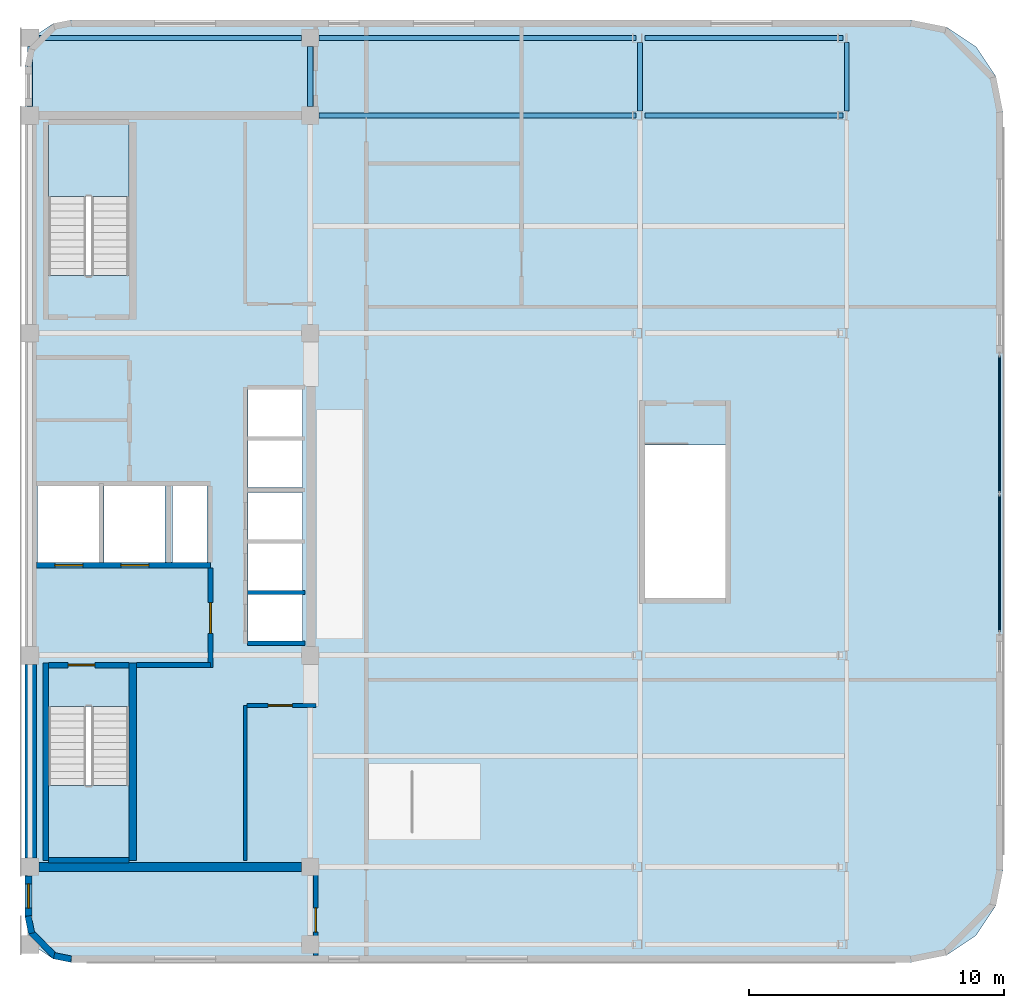
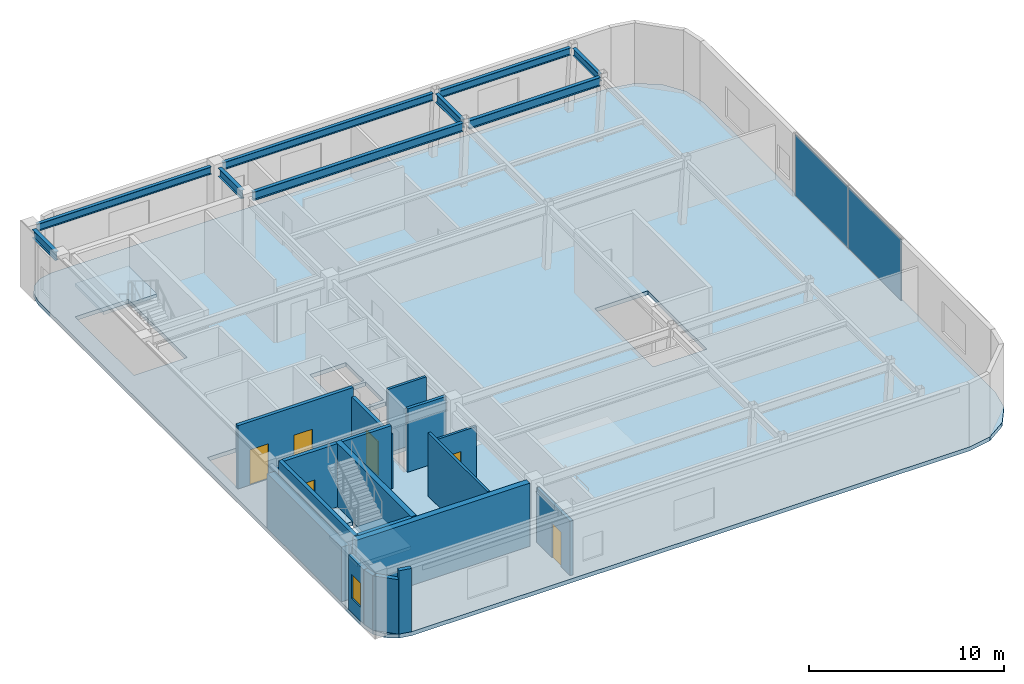
# One storey, part 3 of 8: 18 walls, 9 beams, 6 doors, 3 slabs, 2 plates, 1 window, 7 openings, 3 elements without a shape of their own.
"""IFC4 building model written with IfcOpenShell, lengths in metres."""

from ifc_helpers import new_model, si_unit, direction, frame, frame_2d, origin, origin_2d, place, context, subcontext, project, spatial, polyline, rectangle, i_section, outline, extrude, material, layer, layer_set, material_profile, profile_set, type_object, element, fill, aggregate, save


model = new_model("IFC4")

# Units and contexts
model_context = context("Model", 3, precision=1e-05, world=origin(), true_north=direction((0.0, 1.0)))
body_context = subcontext(model_context, "Body", "Model", "MODEL_VIEW")
ifc_project = project(units=[si_unit("LENGTHUNIT", "METRE"), si_unit("AREAUNIT", "SQUARE_METRE"), si_unit("VOLUMEUNIT", "CUBIC_METRE"), si_unit("PLANEANGLEUNIT", "RADIAN"), si_unit("MASSUNIT", "GRAM", prefix="KILO")], contexts=[model_context])

# Site, building, storey
site_placement = place(None, origin())
site = spatial("IfcSite", under=ifc_project, at=site_placement, CompositionType="ELEMENT")
building_placement = place(site_placement, origin())
building = spatial("IfcBuilding", under=site, at=building_placement, Name="Ochreholt Gables", CompositionType="ELEMENT")
storey_placement = place(building_placement, frame((0.0, 0.0, 231.0)))
storey = spatial("IfcBuildingStorey", under=building, at=storey_placement, Name="L60", CompositionType="ELEMENT", Elevation=231.0)

# Beams
ifc_material_1 = material(Name="Steel CSA G40.21 350W", Category="steel")
ifc_material_profile_1 = material_profile(ifc_material_1, i_section(OverallWidth=0.2109375, OverallDepth=0.5390625, WebThickness=0.01171875, FlangeThickness=0.018798828125, at=origin_2d()), Name="W530X109")
ifc_profile_set_1 = profile_set([ifc_material_profile_1], Name="Steel CSA G40.21 350W")
beam_type_1 = type_object("IfcBeamType", Name="BM-G-W530A", PredefinedType="BEAM", material=ifc_profile_set_1)
beam_1_placement = place(storey_placement, frame((35.549560546875, 38.75, 3.6904296875), z_axis=(1.0, 0.0, 0.0), x_axis=(0.0, 1.0, 0.0)))
element("IfcBeam", 1, at=beam_1_placement, inside=storey, type_object=beam_type_1, Name="L60 Beam TBG-L60-C2EM-Y5", PredefinedType="BEAM", context=body_context, shape_type="SweptSolid", body=[
    extrude(i_section(OverallWidth=0.2109375, OverallDepth=0.5390625, WebThickness=0.01171875, FlangeThickness=0.018798828125, at=origin_2d()), origin(), (0.0, 0.0, 1.0), 12.44091796875),
])
beam_2_placement = place(storey_placement, frame((48.345703125, 38.75, 3.6904296875), z_axis=(1.0, 0.0, 0.0), x_axis=(0.0, 1.0, 0.0)))
element("IfcBeam", 2, at=beam_2_placement, inside=storey, type_object=beam_type_1, Name="L60 Beam TBG-L60-EMEE-Y5", PredefinedType="BEAM", context=body_context, shape_type="SweptSolid", body=[
    extrude(i_section(OverallWidth=0.2109375, OverallDepth=0.5390625, WebThickness=0.01171875, FlangeThickness=0.018798828125, at=origin_2d()), origin(), (0.0, 0.0, 1.0), 7.775146484375),
])
for number, where, z_axis, x_axis, name in (
    (3, (24.199951171875, 39.099609375, 3.6904296875), (0.0, 1.0, 0.0), (-1.0, 0.0, 0.0), "L60 Beam TBN-L60-C1-Y5Y6"),
    (4, (35.199951171875, 39.099609375, 3.6904296875), (0.0, 1.0, 0.0), (-1.0, 0.0, 0.0), "L60 Beam TBN-L60-C2-Y5Y6"),
):
    element("IfcBeam", number, at=place(storey_placement, frame(where, z_axis=z_axis, x_axis=x_axis)), inside=storey, type_object=beam_type_1, Name=name, PredefinedType="BEAM", context=body_context, shape_type="SweptSolid", body=[
        extrude(i_section(OverallWidth=0.2109375, OverallDepth=0.5390625, WebThickness=0.01171875, FlangeThickness=0.018798828125, at=origin_2d()), origin(), (0.0, 0.0, 1.0), 2.350830078125),
    ])
beam_3_placement = place(storey_placement, frame((48.15087890625, 38.927490234375, 3.6904296875), z_axis=(0.0, 1.0, 0.0), x_axis=(-1.0, 0.0, 0.0)))
element("IfcBeam", 5, at=beam_3_placement, inside=storey, type_object=beam_type_1, Name="L60 Beam TBN-L60-EM-Y5Y6", PredefinedType="BEAM", context=body_context, shape_type="SweptSolid", body=[
    extrude(i_section(OverallWidth=0.2109375, OverallDepth=0.5390625, WebThickness=0.01171875, FlangeThickness=0.018798828125, at=origin_2d()), origin(), (0.0, 0.0, 1.0), 2.69482421875),
])
ifc_material_profile_2 = material_profile(ifc_material_1, i_section(OverallWidth=0.19189453125, OverallDepth=0.462890625, WebThickness=0.010498046875, FlangeThickness=0.017578125, at=origin_2d()), Name="W460X89")
ifc_profile_set_2 = profile_set([ifc_material_profile_2], Name="Steel CSA G40.21 350W")
beam_type_2 = type_object("IfcBeamType", Name="BM-SP-W460A", PredefinedType="SPANDREL", material=ifc_profile_set_2)
beam_4_placement = place(storey_placement, frame((24.549560546875, 41.800048828125, 3.728515625), z_axis=(1.0, 0.0, 0.0), x_axis=(0.0, 1.0, 0.0)))
element("IfcBeam", 6, at=beam_4_placement, inside=storey, type_object=beam_type_2, Name="L60 Beam TBG-L60-C1C2-Y6", PredefinedType="SPANDREL", context=body_context, shape_type="SweptSolid", body=[
    extrude(i_section(OverallWidth=0.19189453125, OverallDepth=0.462890625, WebThickness=0.010498046875, FlangeThickness=0.017578125, at=origin_2d()), origin(), (0.0, 0.0, 1.0), 10.30078125),
])
beam_5_placement = place(storey_placement, frame((35.549560546875, 41.800048828125, 3.728515625), z_axis=(1.0, 0.0, 0.0), x_axis=(0.0, 1.0, 0.0)))
element("IfcBeam", 7, at=beam_5_placement, inside=storey, type_object=beam_type_2, Name="L60 Beam TBG-L60-C2EM-Y6", PredefinedType="SPANDREL", context=body_context, shape_type="SweptSolid", body=[
    extrude(i_section(OverallWidth=0.19189453125, OverallDepth=0.462890625, WebThickness=0.010498046875, FlangeThickness=0.017578125, at=origin_2d()), origin(), (0.0, 0.0, 1.0), 12.44091796875),
])
beam_6_placement = place(storey_placement, frame((48.345703125, 41.800048828125, 3.728515625), z_axis=(1.0, 0.0, 0.0), x_axis=(0.0, 1.0, 0.0)))
element("IfcBeam", 8, at=beam_6_placement, inside=storey, type_object=beam_type_2, Name="L60 Beam TBG-L60-EMEE-Y6", PredefinedType="SPANDREL", context=body_context, shape_type="SweptSolid", body=[
    extrude(i_section(OverallWidth=0.19189453125, OverallDepth=0.462890625, WebThickness=0.010498046875, FlangeThickness=0.017578125, at=origin_2d()), origin(), (0.0, 0.0, 1.0), 7.775146484375),
])
beam_7_placement = place(storey_placement, frame((56.27001953125, 38.927490234375, 3.728515625), z_axis=(0.0, 1.0, 0.0), x_axis=(-1.0, 0.0, 0.0)))
element("IfcBeam", 9, at=beam_7_placement, inside=storey, type_object=beam_type_2, Name="L60 Beam TBN-L60-EE-Y5Y6", PredefinedType="SPANDREL", context=body_context, shape_type="SweptSolid", body=[
    extrude(i_section(OverallWidth=0.19189453125, OverallDepth=0.462890625, WebThickness=0.010498046875, FlangeThickness=0.017578125, at=origin_2d()), origin(), (0.0, 0.0, 1.0), 2.69482421875),
])

# Curtain wall, plates
ifc_material_2 = material(Name="Unitised Aluminium and Triple Glazing", Category="aluminium")
ifc_layer_1 = layer(ifc_material_2, 0.219970703125, Name="Unitised Aluminium and Triple Glazing")
ifc_layer_set_1 = layer_set([ifc_layer_1], Name="Unitised Aluminium and Triple Glazing")
curtain_wall_type = type_object("IfcCurtainWallType", Name="CW-SYS6", PredefinedType="NOTDEFINED", material=ifc_layer_set_1)
curtain_wall_placement = place(storey_placement, origin())
curtain_wall = element("IfcCurtainWall", 10, at=curtain_wall_placement, inside=storey, type_object=curtain_wall_type, Name="L60 East Unitised Curtain Wall", PredefinedType="NOTDEFINED")
ifc_material_3 = material(Name="Triple Low-E Insulating Glass", Category="glass")
ifc_layer_2 = layer(ifc_material_3, 0.0419921875, Name="Triple Low-E Insulating Glass")
ifc_layer_set_2 = layer_set([ifc_layer_2], Name="Triple Low-E Insulating Glass")
plate_type = type_object("IfcPlateType", Name="CW-PNL-42", PredefinedType="CURTAIN_PANEL", material=ifc_layer_set_2)
plate_1_placement = place(storey_placement, frame((62.264892578125, 21.168701171875, 0.074951171875), z_axis=(0.0, 0.0, 1.0), x_axis=(0.0, 1.0, 0.0)))
plate_1 = element("IfcPlate", 11, at=plate_1_placement, type_object=plate_type, Name="CW-6 panel 1.1", PredefinedType="CURTAIN_PANEL", context=body_context, shape_type="SweptSolid", body=[
    extrude(rectangle(XDim=5.387451171875, YDim=0.0419921875, at=origin_2d()), origin(), (0.0, 0.0, 1.0), 3.81005859375),
])
plate_2_placement = place(storey_placement, frame((62.264892578125, 26.63134765625, 0.074951171875), z_axis=(0.0, 0.0, 1.0), x_axis=(0.0, 1.0, 0.0)))
plate_2 = element("IfcPlate", 12, at=plate_2_placement, type_object=plate_type, Name="CW-6 panel 2.1", PredefinedType="CURTAIN_PANEL", context=body_context, shape_type="SweptSolid", body=[
    extrude(rectangle(XDim=5.387451171875, YDim=0.0419921875, at=origin_2d()), origin(), (0.0, 0.0, 1.0), 3.81005859375),
])
aggregate(curtain_wall, [plate_1, plate_2])

# Stair, slab
ifc_material_4 = material(Name="Concrete 40 MPa", Category="concrete")
stair_type_1 = type_object("IfcStairType", Name="STAIR-CORE-ST-1", PredefinedType="HALF_TURN_STAIR", material=ifc_material_4)
stair_1_placement = place(storey_placement, origin())
stair_1 = element("IfcStair", 13, at=stair_1_placement, inside=storey, type_object=stair_type_1, Name="L60 Core Exit Stair 1", PredefinedType="HALF_TURN_STAIR")
ifc_layer_3 = layer(ifc_material_4, 0.199951171875, Name="Concrete 40 MPa")
ifc_layer_set_3 = layer_set([ifc_layer_3], Name="Concrete 40 MPa")
slab_type_1 = type_object("IfcSlabType", Name="LANDING-RC200", PredefinedType="LANDING", material=ifc_layer_set_3)
slab_1_placement = place(storey_placement, frame((0.0, 0.0, 1.89990234375)))
slab_1 = element("IfcSlab", 14, at=slab_1_placement, type_object=slab_type_1, Name="ST-1 landing 1", PredefinedType="LANDING", context=body_context, shape_type="SweptSolid", body=[
    extrude(outline(polyline([(24.919921875, 12.43798828125), (24.919921875, 9.52001953125), (28.080078125, 9.52001953125), (28.080078125, 12.43798828125), (24.919921875, 12.43798828125)])), origin(), (0.0, 0.0, 1.0), 0.2001953125),
])
aggregate(stair_1, [slab_1])

stair_type_2 = type_object("IfcStairType", Name="STAIR-CORE-ST-2", PredefinedType="HALF_TURN_STAIR", material=ifc_material_4)
stair_2_placement = place(storey_placement, origin())
stair_2 = element("IfcStair", 15, at=stair_2_placement, inside=storey, type_object=stair_type_2, Name="L60 Core Exit Stair 2", PredefinedType="HALF_TURN_STAIR")
slab_2_placement = place(storey_placement, frame((0.0, 0.0, 1.89990234375)))
slab_2 = element("IfcSlab", 16, at=slab_2_placement, type_object=slab_type_1, Name="ST-2 landing 1", PredefinedType="LANDING", context=body_context, shape_type="SweptSolid", body=[
    extrude(outline(polyline([(28.080078125, 35.56201171875), (28.080078125, 38.47998046875), (24.919921875, 38.47998046875), (24.919921875, 35.56201171875), (28.080078125, 35.56201171875)])), origin(), (0.0, 0.0, 1.0), 0.2001953125),
])
aggregate(stair_2, [slab_2])

# Slab
ifc_layer_4 = layer(ifc_material_4, 0.25, Name="Concrete 40 MPa")
ifc_layer_set_4 = layer_set([ifc_layer_4], Name="Concrete 40 MPa")
slab_type_2 = type_object("IfcSlabType", Name="SLAB-COM-250", PredefinedType="FLOOR", material=ifc_layer_set_4)
slab_3_placement = place(storey_placement, frame((0.0, 0.0, -0.25)))
element("IfcSlab", 17, at=slab_3_placement, inside=storey, type_object=slab_type_2, Name="L60 Structural Floor Slab", PredefinedType="FLOOR", context=body_context, shape_type="SweptSolid", body=[
    extrude(outline(polyline([(24.0, 7.300048828125), (24.136962890625, 6.611083984375), (24.527099609375, 6.027099609375), (25.111083984375, 5.636962890625), (25.800048828125, 5.5), (58.800048828125, 5.5), (60.177734375, 5.77392578125), (61.345703125, 6.554443359375), (62.1259765625, 7.722412109375), (62.39990234375, 9.10009765625), (62.39990234375, 38.89990234375), (62.1259765625, 40.277587890625), (61.345703125, 41.445556640625), (60.177734375, 42.22607421875), (58.800048828125, 42.5), (25.800048828125, 42.5), (25.111083984375, 42.363037109375), (24.527099609375, 41.972900390625), (24.136962890625, 41.388916015625), (24.0, 40.699951171875), (24.0, 7.300048828125)]), holes=[polyline([(24.919921875, 15.539306640625), (24.919921875, 9.52001953125), (28.080078125, 9.52001953125), (28.080078125, 15.539306640625), (24.919921875, 15.539306640625)]), polyline([(28.080078125, 32.460693359375), (28.080078125, 38.47998046875), (24.919921875, 38.47998046875), (24.919921875, 32.460693359375), (28.080078125, 32.460693359375)]), polyline([(48.35009765625, 25.819091796875), (48.35009765625, 19.800048828125), (51.510009765625, 19.800048828125), (51.510009765625, 25.819091796875), (48.35009765625, 25.819091796875)]), polyline([(24.5, 21.199951171875), (26.89990234375, 21.199951171875), (26.89990234375, 24.199951171875), (24.5, 24.199951171875), (24.5, 21.199951171875)]), polyline([(27.10009765625, 21.199951171875), (29.5, 21.199951171875), (29.5, 24.199951171875), (27.10009765625, 24.199951171875), (27.10009765625, 21.199951171875)]), polyline([(32.75, 18.10009765625), (34.89990234375, 18.10009765625), (34.89990234375, 19.949951171875), (32.75, 19.949951171875), (32.75, 18.10009765625)]), polyline([(32.75, 20.10009765625), (34.89990234375, 20.10009765625), (34.89990234375, 21.949951171875), (32.75, 21.949951171875), (32.75, 20.10009765625)]), polyline([(32.75, 22.10009765625), (34.89990234375, 22.10009765625), (34.89990234375, 23.949951171875), (32.75, 23.949951171875), (32.75, 22.10009765625)]), polyline([(32.75, 24.14990234375), (34.89990234375, 24.14990234375), (34.89990234375, 26.0), (32.75, 26.0), (32.75, 24.14990234375)]), polyline([(32.75, 26.14990234375), (34.89990234375, 26.14990234375), (34.89990234375, 28.0), (32.75, 28.0), (32.75, 26.14990234375)]), polyline([(29.800048828125, 21.199951171875), (31.14990234375, 21.199951171875), (31.14990234375, 24.199951171875), (29.800048828125, 24.199951171875), (29.800048828125, 21.199951171875)])]), origin(), (0.0, 0.0, 1.0), 0.25),
])

# Walls
ifc_material_5 = material(Name="Concrete 50 MPa", Category="concrete")
ifc_layer_5 = layer(ifc_material_5, 0.35009765625, Name="Concrete 50 MPa")
ifc_layer_set_5 = layer_set([ifc_layer_5], Name="Concrete 50 MPa")
wall_type_1 = type_object("IfcWallType", Name="WALL-CSW-350", PredefinedType="SHEAR", material=ifc_layer_set_5)
wall_1_placement = place(storey_placement, frame((24.550048828125, 9.25, 0.0), z_axis=(0.0, 0.0, 1.0), x_axis=(1.0, 0.0, 0.0)))
element("IfcWall", 18, at=wall_1_placement, inside=storey, type_object=wall_type_1, Name="L60 Core South Shear Wall", PredefinedType="SHEAR", context=body_context, shape_type="SweptSolid", body=[
    extrude(rectangle(XDim=10.300048828125, YDim=0.35009765625, at=frame_2d((5.14990234375, 0.0))), origin(), (0.0, 0.0, 1.0), 3.9599609375),
])
ifc_layer_6 = layer(ifc_material_5, 0.449951171875, Name="Concrete 50 MPa")
ifc_layer_set_6 = layer_set([ifc_layer_6], Name="Concrete 50 MPa")
wall_type_2 = type_object("IfcWallType", Name="WALL-CSW-EXT", PredefinedType="SHEAR", material=ifc_layer_set_6)
wall_2_placement = place(storey_placement, frame((24.22509765625, 9.60009765625, 0.0), z_axis=(0.0, 0.0, 1.0), x_axis=(0.0, 1.0, 0.0)))
element("IfcWall", 19, at=wall_2_placement, inside=storey, type_object=wall_type_2, Name="L60 Core West Shear Wall WS", PredefinedType="SHEAR", context=body_context, shape_type="SweptSolid", body=[
    extrude(rectangle(XDim=7.599853515625, YDim=0.449951171875, at=frame_2d((3.7998046875, 0.0))), origin(), (0.0, 0.0, 1.0), 3.4208984375),
])

# Wall, opening, window
ifc_material_6 = material(Name="Precast concrete 40 MPa", Category="concrete")
ifc_layer_7 = layer(ifc_material_6, 0.27001953125, Name="Precast concrete 40 MPa")
ifc_layer_set_7 = layer_set([ifc_layer_7], Name="Precast concrete 40 MPa")
wall_type_3 = type_object("IfcWallType", Name="WALL-EXT-270", PredefinedType="SOLIDWALL", material=ifc_layer_set_7)
wall_3_placement = place(storey_placement, frame((24.135009765625, 7.320068359375, 0.0), z_axis=(0.0, 0.0, 1.0), x_axis=(0.0, 1.0, 0.0)))
wall_3 = element("IfcWall", 20, at=wall_3_placement, inside=storey, type_object=wall_type_3, Name="L60 West Facade South Bay Wall", PredefinedType="SOLIDWALL", context=body_context, shape_type="SweptSolid", body=[
    extrude(rectangle(XDim=1.559814453125, YDim=0.27001953125, at=frame_2d((0.77978515625, 0.0))), origin(), (0.0, 0.0, 1.0), 3.403076171875),
])
opening_1_placement = place(wall_3_placement, frame((0.304931640625, 0.0, 0.85009765625)))
opening_1 = element("IfcOpeningElement", 21, at=opening_1_placement, cuts=wall_3, Name="Opening WN-10", PredefinedType="OPENING", context=body_context, shape_type="SweptSolid", body=[
    extrude(rectangle(XDim=0.949951171875, YDim=1.5, at=frame_2d((0.47509765625, 0.75))), frame((0.0, 0.14501953125, 0.0), z_axis=(0.0, -1.0, 0.0), x_axis=(1.0, 0.0, 0.0)), (0.0, 0.0, 1.0), 0.2900390625),
])
ifc_material_7 = material(Name="Triple-Glazed Thermally Broken Aluminium Window", Category="aluminium")
window_type = type_object("IfcWindowType", Name="WIN-RES-950", PartitioningType="SINGLE_PANEL", PredefinedType="WINDOW", material=ifc_material_7)
window_placement = place(opening_1_placement, origin())
window = element("IfcWindow", 22, at=window_placement, inside=storey, type_object=window_type, Name="L60 South Sky Lounge West Window", OverallHeight=1.5, OverallWidth=0.949951171875, PartitioningType="SINGLE_PANEL", PredefinedType="WINDOW", context=body_context, shape_type="SweptSolid", body=[
    extrude(rectangle(XDim=0.949951171875, YDim=1.5, at=frame_2d((0.47509765625, 0.75))), frame((0.0, 0.030029296875, 0.0), z_axis=(0.0, -1.0, 0.0), x_axis=(1.0, 0.0, 0.0)), (0.0, 0.0, 1.0), 0.06005859375),
])
fill(opening_1, window)

# Walls
ifc_layer_8 = layer(ifc_material_6, 0.25, Name="Precast concrete 40 MPa")
ifc_layer_set_8 = layer_set([ifc_layer_8], Name="Precast concrete 40 MPa")
wall_type_4 = type_object("IfcWallType", Name="WALL-EXT-CNR", PredefinedType="SOLIDWALL", material=ifc_layer_set_8)
wall_4_placement = place(storey_placement, frame((24.124267578125, 7.31640625, 0.0), z_axis=(0.0, 0.0, 1.0), x_axis=(0.194952956674, -0.980812594069, 0.0)))
element("IfcWall", 23, at=wall_4_placement, inside=storey, type_object=wall_type_4, Name="L60 Rounded Corner Wall SW-1", PredefinedType="SOLIDWALL", context=body_context, shape_type="SweptSolid", body=[
    extrude(rectangle(XDim=0.686279296875, YDim=0.25, at=frame_2d((0.34326171875, 0.0))), origin(), (0.0, 0.0, 1.0), 3.403076171875),
])
wall_5_placement = place(storey_placement, frame((24.23095703125, 6.69384765625, 0.0), z_axis=(0.0, 0.0, 1.0), x_axis=(0.707106781187, -0.707106781187, 0.0)))
element("IfcWall", 24, at=wall_5_placement, inside=storey, type_object=wall_type_4, Name="L60 Rounded Corner Wall SW-2", PredefinedType="SOLIDWALL", context=body_context, shape_type="SweptSolid", body=[
    extrude(rectangle(XDim=1.36181640625, YDim=0.25, at=frame_2d((0.680908203125, 0.0))), origin(), (0.0, 0.0, 1.0), 3.403076171875),
])
wall_6_placement = place(storey_placement, frame((25.143310546875, 5.758056640625, 0.0), z_axis=(0.0, 0.0, 1.0), x_axis=(0.980812594069, -0.194952956674, 0.0)))
element("IfcWall", 25, at=wall_6_placement, inside=storey, type_object=wall_type_4, Name="L60 Rounded Corner Wall SW-3", PredefinedType="SOLIDWALL", context=body_context, shape_type="SweptSolid", body=[
    extrude(rectangle(XDim=0.686279296875, YDim=0.25, at=frame_2d((0.34326171875, 0.0))), origin(), (0.0, 0.0, 1.0), 3.9599609375),
])

# Wall, openings, doors
ifc_layer_9 = layer(ifc_material_4, 0.199951171875, Name="Concrete 40 MPa")
ifc_layer_set_9 = layer_set([ifc_layer_9], Name="Concrete 40 MPa")
wall_type_5 = type_object("IfcWallType", Name="WALL-INT-CF200", PredefinedType="STANDARD", material=ifc_layer_set_9)
wall_7_placement = place(storey_placement, frame((24.449951171875, 21.090087890625, 0.0), z_axis=(0.0, 0.0, 1.0), x_axis=(1.0, 0.0, 0.0)))
wall_7 = element("IfcWall", 26, at=wall_7_placement, inside=storey, type_object=wall_type_5, Name="L60 Interior Wall WI-FFN-L60", PredefinedType="STANDARD", context=body_context, shape_type="SweptSolid", body=[
    extrude(rectangle(XDim=6.830078125, YDim=0.199951171875, at=frame_2d((3.4150390625, 0.0))), origin(), (0.0, 0.0, 1.0), 3.9599609375),
])
opening_2_placement = place(wall_7_placement, frame((0.719970703125, 0.0, 0.0)))
opening_2 = element("IfcOpeningElement", 27, at=opening_2_placement, cuts=wall_7, Name="Opening LD-FF", PredefinedType="OPENING", context=body_context, shape_type="SweptSolid", body=[
    extrude(rectangle(XDim=1.10009765625, YDim=2.199951171875, at=frame_2d((0.550048828125, 1.10009765625))), frame((0.0, 0.10986328125, 0.0), z_axis=(0.0, -1.0, 0.0), x_axis=(1.0, 0.0, 0.0)), (0.0, 0.0, 1.0), 0.219970703125),
])
opening_3_placement = place(wall_7_placement, frame((3.320068359375, 0.0, 0.0)))
opening_3 = element("IfcOpeningElement", 28, at=opening_3_placement, cuts=wall_7, Name="Opening LD-FF", PredefinedType="OPENING", context=body_context, shape_type="SweptSolid", body=[
    extrude(rectangle(XDim=1.10009765625, YDim=2.199951171875, at=frame_2d((0.550048828125, 1.10009765625))), frame((0.0, 0.10986328125, 0.0), z_axis=(0.0, -1.0, 0.0), x_axis=(1.0, 0.0, 0.0)), (0.0, 0.0, 1.0), 0.219970703125),
])
ifc_material_8 = material(Name="Stainless Steel", Category="steel")
door_type_1 = type_object("IfcDoorType", Name="DR-LFT-FF1100", OperationType="NOTDEFINED", PredefinedType="DOOR", material=ifc_material_8)
door_1_placement = place(opening_2_placement, origin())
door_1 = element("IfcDoor", 29, at=door_1_placement, inside=storey, type_object=door_type_1, Name="L60 Door LD-FF1-L60", OperationType="SLIDING_TO_LEFT", OverallHeight=2.199951171875, OverallWidth=1.10009765625, PredefinedType="DOOR", context=body_context, shape_type="SweptSolid", body=[
    extrude(rectangle(XDim=1.10009765625, YDim=2.199951171875, at=frame_2d((0.550048828125, 1.10009765625))), frame((0.0, 0.02490234375, 0.0), z_axis=(0.0, -1.0, 0.0), x_axis=(1.0, 0.0, 0.0)), (0.0, 0.0, 1.0), 0.050048828125),
])
fill(opening_2, door_1)
door_2_placement = place(opening_3_placement, origin())
door_2 = element("IfcDoor", 30, at=door_2_placement, inside=storey, type_object=door_type_1, Name="L60 Door LD-FF2-L60", OperationType="SLIDING_TO_LEFT", OverallHeight=2.199951171875, OverallWidth=1.10009765625, PredefinedType="DOOR", context=body_context, shape_type="SweptSolid", body=[
    extrude(rectangle(XDim=1.10009765625, YDim=2.199951171875, at=frame_2d((0.550048828125, 1.10009765625))), frame((0.0, 0.02490234375, 0.0), z_axis=(0.0, -1.0, 0.0), x_axis=(1.0, 0.0, 0.0)), (0.0, 0.0, 1.0), 0.050048828125),
])
fill(opening_3, door_2)

# Wall
wall_8_placement = place(storey_placement, frame((28.3798828125, 17.169921875, 0.0), z_axis=(0.0, 0.0, 1.0), x_axis=(1.0, 0.0, 0.0)))
element("IfcWall", 31, at=wall_8_placement, inside=storey, type_object=wall_type_5, Name="L60 Interior Wall WI-FFS-L60", PredefinedType="STANDARD", context=body_context, shape_type="SweptSolid", body=[
    extrude(rectangle(XDim=2.900146484375, YDim=0.199951171875, at=frame_2d((1.4501953125, 0.0))), origin(), (0.0, 0.0, 1.0), 3.9599609375),
])

# Wall, opening, door
wall_9_placement = place(storey_placement, frame((31.280029296875, 17.070068359375, 0.0), z_axis=(0.0, 0.0, 1.0), x_axis=(0.0, 1.0, 0.0)))
wall_9 = element("IfcWall", 32, at=wall_9_placement, inside=storey, type_object=wall_type_5, Name="L60 Interior Wall WI-FFE-L60", PredefinedType="STANDARD", context=body_context, shape_type="SweptSolid", body=[
    extrude(rectangle(XDim=3.919921875, YDim=0.199951171875, at=frame_2d((1.9599609375, 0.0))), origin(), (0.0, 0.0, 1.0), 3.403076171875),
])
opening_4_placement = place(wall_9_placement, frame((1.35009765625, 0.0, 0.0)))
opening_4 = element("IfcOpeningElement", 33, at=opening_4_placement, cuts=wall_9, Name="Opening D-FFL", PredefinedType="OPENING", context=body_context, shape_type="SweptSolid", body=[
    extrude(rectangle(XDim=1.199951171875, YDim=2.14990234375, at=frame_2d((0.60009765625, 1.074951171875))), frame((0.0, 0.10986328125, 0.0), z_axis=(0.0, -1.0, 0.0), x_axis=(1.0, 0.0, 0.0)), (0.0, 0.0, 1.0), 0.219970703125),
])
ifc_material_9 = material(Name="Hollow Metal Steel", Category="steel")
door_type_2 = type_object("IfcDoorType", Name="DR-INT-FFL1200", OperationType="NOTDEFINED", PredefinedType="DOOR", material=ifc_material_9)
door_3_placement = place(opening_4_placement, origin())
door_3 = element("IfcDoor", 34, at=door_3_placement, inside=storey, type_object=door_type_2, Name="L60 Door D-FFL-L60", OperationType="SINGLE_SWING_LEFT", OverallHeight=2.14990234375, OverallWidth=1.199951171875, PredefinedType="DOOR", context=body_context, shape_type="SweptSolid", body=[
    extrude(rectangle(XDim=1.199951171875, YDim=2.14990234375, at=frame_2d((0.60009765625, 1.074951171875))), frame((0.0, 0.02490234375, 0.0), z_axis=(0.0, -1.0, 0.0), x_axis=(1.0, 0.0, 0.0)), (0.0, 0.0, 1.0), 0.050048828125),
])
fill(opening_4, door_3)

ifc_material_10 = material(Name="Fire-Rated Gypsum Acoustic Partition", Category="gypsum")
ifc_layer_10 = layer(ifc_material_10, 0.179931640625, Name="Fire-Rated Gypsum Acoustic Partition")
ifc_layer_set_10 = layer_set([ifc_layer_10], Name="Fire-Rated Gypsum Acoustic Partition")
wall_type_6 = type_object("IfcWallType", Name="WALL-INT-CR180", PredefinedType="STANDARD", material=ifc_layer_set_10)
wall_10_placement = place(storey_placement, frame((35.419921875, 5.77001953125, 0.0), z_axis=(0.0, 0.0, 1.0), x_axis=(0.0, 1.0, 0.0)))
wall_10 = element("IfcWall", 35, at=wall_10_placement, inside=storey, type_object=wall_type_6, Name="L60 Interior Wall WI-CMCSW0-L60", PredefinedType="STANDARD", context=body_context, shape_type="SweptSolid", body=[
    extrude(rectangle(XDim=3.47998046875, YDim=0.179931640625, at=frame_2d((1.739990234375, 0.0))), origin(), (0.0, 0.0, 1.0), 3.403076171875),
])
opening_5_placement = place(wall_10_placement, frame((0.919921875, 0.0, 0.0)))
opening_5 = element("IfcOpeningElement", 36, at=opening_5_placement, cuts=wall_10, Name="Opening D-GN1", PredefinedType="OPENING", context=body_context, shape_type="SweptSolid", body=[
    extrude(rectangle(XDim=0.949951171875, YDim=2.14990234375, at=frame_2d((0.47509765625, 1.074951171875))), frame((0.0, 0.099853515625, 0.0), z_axis=(0.0, -1.0, 0.0), x_axis=(1.0, 0.0, 0.0)), (0.0, 0.0, 1.0), 0.199951171875),
])
ifc_material_11 = material(Name="Engineered Oak Timber", Category="wood")
door_type_3 = type_object("IfcDoorType", Name="DR-INT-GEN950", OperationType="NOTDEFINED", PredefinedType="DOOR", material=ifc_material_11)
door_4_placement = place(opening_5_placement, origin())
door_4 = element("IfcDoor", 37, at=door_4_placement, inside=storey, type_object=door_type_3, Name="L60 Door D-CMCS-L60", OperationType="SINGLE_SWING_LEFT", OverallHeight=2.14990234375, OverallWidth=0.949951171875, PredefinedType="DOOR", context=body_context, shape_type="SweptSolid", body=[
    extrude(rectangle(XDim=0.949951171875, YDim=2.14990234375, at=frame_2d((0.47509765625, 1.074951171875))), frame((0.0, 0.02490234375, 0.0), z_axis=(0.0, -1.0, 0.0), x_axis=(1.0, 0.0, 0.0)), (0.0, 0.0, 1.0), 0.050048828125),
])
fill(opening_5, door_4)

# Wall
ifc_material_12 = material(Name="Lightweight Stud Partition", Category="gypsum")
ifc_layer_11 = layer(ifc_material_12, 0.14501953125, Name="Lightweight Stud Partition")
ifc_layer_set_11 = layer_set([ifc_layer_11], Name="Lightweight Stud Partition")
wall_type_7 = type_object("IfcWallType", Name="WALL-INT-PT145", PredefinedType="PARTITIONING", material=ifc_layer_set_11)
wall_11_placement = place(storey_placement, frame((32.64990234375, 9.5, 0.0), z_axis=(0.0, 0.0, 1.0), x_axis=(0.0, 1.0, 0.0)))
element("IfcWall", 38, at=wall_11_placement, inside=storey, type_object=wall_type_7, Name="L60 Interior Wall WI-CMRCLW-L60", PredefinedType="PARTITIONING", context=body_context, shape_type="SweptSolid", body=[
    extrude(rectangle(XDim=6.080078125, YDim=0.14501953125, at=frame_2d((3.0400390625, 0.0))), origin(), (0.0, 0.0, 1.0), 3.9599609375),
])

# Wall, opening, door
wall_12_placement = place(storey_placement, frame((32.722412109375, 15.580078125, 0.0), z_axis=(0.0, 0.0, 1.0), x_axis=(1.0, 0.0, 0.0)))
wall_12 = element("IfcWall", 39, at=wall_12_placement, inside=storey, type_object=wall_type_7, Name="L60 Interior Wall WI-CMRCLN-L60", PredefinedType="PARTITIONING", context=body_context, shape_type="SweptSolid", body=[
    extrude(rectangle(XDim=2.697509765625, YDim=0.14501953125, at=frame_2d((1.3486328125, 0.0))), origin(), (0.0, 0.0, 1.0), 3.403076171875),
])
opening_6_placement = place(wall_12_placement, frame((0.827392578125, 0.0, 0.0)))
opening_6 = element("IfcOpeningElement", 40, at=opening_6_placement, cuts=wall_12, Name="Opening D-GN1", PredefinedType="OPENING", context=body_context, shape_type="SweptSolid", body=[
    extrude(rectangle(XDim=0.949951171875, YDim=2.14990234375, at=frame_2d((0.47509765625, 1.074951171875))), frame((0.0, 0.08251953125, 0.0), z_axis=(0.0, -1.0, 0.0), x_axis=(1.0, 0.0, 0.0)), (0.0, 0.0, 1.0), 0.1650390625),
])
door_5_placement = place(opening_6_placement, origin())
door_5 = element("IfcDoor", 41, at=door_5_placement, inside=storey, type_object=door_type_3, Name="L60 Door D-CMRCL-L60", OperationType="SINGLE_SWING_LEFT", OverallHeight=2.14990234375, OverallWidth=0.949951171875, PredefinedType="DOOR", context=body_context, shape_type="SweptSolid", body=[
    extrude(rectangle(XDim=0.949951171875, YDim=2.14990234375, at=frame_2d((0.47509765625, 1.074951171875))), frame((0.0, 0.02490234375, 0.0), z_axis=(0.0, -1.0, 0.0), x_axis=(1.0, 0.0, 0.0)), (0.0, 0.0, 1.0), 0.050048828125),
])
fill(opening_6, door_5)

# Walls
ifc_material_13 = material(Name="Gypsum Shaftliner and Steel Stud", Category="steel")
ifc_layer_12 = layer(ifc_material_13, 0.14990234375, Name="Gypsum Shaftliner and Steel Stud")
ifc_layer_set_12 = layer_set([ifc_layer_12], Name="Gypsum Shaftliner and Steel Stud")
wall_type_8 = type_object("IfcWallType", Name="WALL-INT-SH150", PredefinedType="STANDARD", material=ifc_layer_set_12)
wall_13_placement = place(storey_placement, frame((32.739990234375, 20.02001953125, 0.0), z_axis=(0.0, 0.0, 1.0), x_axis=(1.0, 0.0, 0.0)))
element("IfcWall", 42, at=wall_13_placement, inside=storey, type_object=wall_type_8, Name="L60 Interior Wall WI-LFHE-DH1-L60", PredefinedType="STANDARD", context=body_context, shape_type="SweptSolid", body=[
    extrude(rectangle(XDim=2.260009765625, YDim=0.14990234375, at=frame_2d((1.1298828125, 0.0))), origin(), (0.0, 0.0, 1.0), 3.9599609375),
])
ifc_layer_13 = layer(ifc_material_13, 0.179931640625, Name="Gypsum Shaftliner and Steel Stud")
ifc_layer_set_13 = layer_set([ifc_layer_13], Name="Gypsum Shaftliner and Steel Stud")
wall_type_9 = type_object("IfcWallType", Name="WALL-INT-SH180", PredefinedType="STANDARD", material=ifc_layer_set_13)
wall_14_placement = place(storey_placement, frame((32.739990234375, 18.02001953125, 0.0), z_axis=(0.0, 0.0, 1.0), x_axis=(1.0, 0.0, 0.0)))
element("IfcWall", 43, at=wall_14_placement, inside=storey, type_object=wall_type_9, Name="L60 Interior Wall WI-LFHE-S-L60", PredefinedType="STANDARD", context=body_context, shape_type="SweptSolid", body=[
    extrude(rectangle(XDim=2.260009765625, YDim=0.179931640625, at=frame_2d((1.1298828125, 0.0))), origin(), (0.0, 0.0, 1.0), 3.9599609375),
])
ifc_material_14 = material(Name="Concrete 60 MPa", Category="concrete")
ifc_layer_14 = layer(ifc_material_14, 0.300048828125, Name="Concrete 60 MPa")
ifc_layer_set_14 = layer_set([ifc_layer_14], Name="Concrete 60 MPa")
wall_type_10 = type_object("IfcWallType", Name="WALL-SPN-300", PredefinedType="SHEAR", material=ifc_layer_set_14)
wall_15_placement = place(storey_placement, frame((28.22998046875, 9.5, 0.0), z_axis=(0.0, 0.0, 1.0), x_axis=(0.0, 1.0, 0.0)))
element("IfcWall", 44, at=wall_15_placement, inside=storey, type_object=wall_type_10, Name="L60 Core South Spine Shear Wall", PredefinedType="SHEAR", context=body_context, shape_type="SweptSolid", body=[
    extrude(rectangle(XDim=7.760009765625, YDim=0.300048828125, at=frame_2d((3.8798828125, 0.0))), origin(), (0.0, 0.0, 1.0), 3.9599609375),
])
ifc_layer_15 = layer(ifc_material_5, 0.219970703125, Name="Concrete 50 MPa")
ifc_layer_set_15 = layer_set([ifc_layer_15], Name="Concrete 50 MPa")
wall_type_11 = type_object("IfcWallType", Name="WALL-STW-220", PredefinedType="SHEAR", material=ifc_layer_set_15)
wall_16_placement = place(storey_placement, frame((24.81005859375, 9.5, 0.0), z_axis=(0.0, 0.0, 1.0), x_axis=(0.0, 1.0, 0.0)))
element("IfcWall", 45, at=wall_16_placement, inside=storey, type_object=wall_type_11, Name="L60 Exit Stair 1 West Wall", PredefinedType="SHEAR", context=body_context, shape_type="SweptSolid", body=[
    extrude(rectangle(XDim=7.760009765625, YDim=0.219970703125, at=frame_2d((3.8798828125, 0.0))), origin(), (0.0, 0.0, 1.0), 3.9599609375),
])
wall_17_placement = place(storey_placement, frame((24.919921875, 9.510009765625, 0.0), z_axis=(0.0, 0.0, 1.0), x_axis=(1.0, 0.0, 0.0)))
element("IfcWall", 46, at=wall_17_placement, inside=storey, type_object=wall_type_11, Name="L60 Exit Stair 1 South Wall", PredefinedType="SHEAR", context=body_context, shape_type="SweptSolid", body=[
    extrude(rectangle(XDim=3.16015625, YDim=0.219970703125, at=frame_2d((1.580078125, 0.0))), origin(), (0.0, 0.0, 1.0), 3.9599609375),
])

# Wall, opening, door
wall_18_placement = place(storey_placement, frame((24.919921875, 17.169921875, 0.0), z_axis=(0.0, 0.0, 1.0), x_axis=(1.0, 0.0, 0.0)))
wall_18 = element("IfcWall", 47, at=wall_18_placement, inside=storey, type_object=wall_type_11, Name="L60 Exit Stair 1 North Wall", PredefinedType="SHEAR", context=body_context, shape_type="SweptSolid", body=[
    extrude(rectangle(XDim=3.16015625, YDim=0.219970703125, at=frame_2d((1.580078125, 0.0))), origin(), (0.0, 0.0, 1.0), 3.9599609375),
])
opening_7_placement = place(wall_18_placement, frame((0.780029296875, 0.0, 0.0)))
opening_7 = element("IfcOpeningElement", 48, at=opening_7_placement, cuts=wall_18, Name="Opening D-STC", PredefinedType="OPENING", context=body_context, shape_type="SweptSolid", body=[
    extrude(rectangle(XDim=1.050048828125, YDim=2.14990234375, at=frame_2d((0.52490234375, 1.074951171875))), frame((0.0, 0.119873046875, 0.0), z_axis=(0.0, -1.0, 0.0), x_axis=(1.0, 0.0, 0.0)), (0.0, 0.0, 1.0), 0.239990234375),
])
door_type_4 = type_object("IfcDoorType", Name="DR-INT-ST1050", OperationType="NOTDEFINED", PredefinedType="DOOR", material=ifc_material_9)
door_6_placement = place(opening_7_placement, frame((1.050048828125, 0.0, 0.0), z_axis=(0.0, 0.0, 1.0), x_axis=(-1.0, 0.0, 0.0)))
door_6 = element("IfcDoor", 49, at=door_6_placement, inside=storey, type_object=door_type_4, Name="L60 Door D-ST1-L60", OperationType="SINGLE_SWING_LEFT", OverallHeight=2.14990234375, OverallWidth=1.050048828125, PredefinedType="DOOR", context=body_context, shape_type="SweptSolid", body=[
    extrude(rectangle(XDim=1.050048828125, YDim=2.14990234375, at=frame_2d((0.52490234375, 1.074951171875))), frame((0.0, 0.02490234375, 0.0), z_axis=(0.0, -1.0, 0.0), x_axis=(1.0, 0.0, 0.0)), (0.0, 0.0, 1.0), 0.050048828125),
])
fill(opening_7, door_6)

save(model, "model.ifc")
